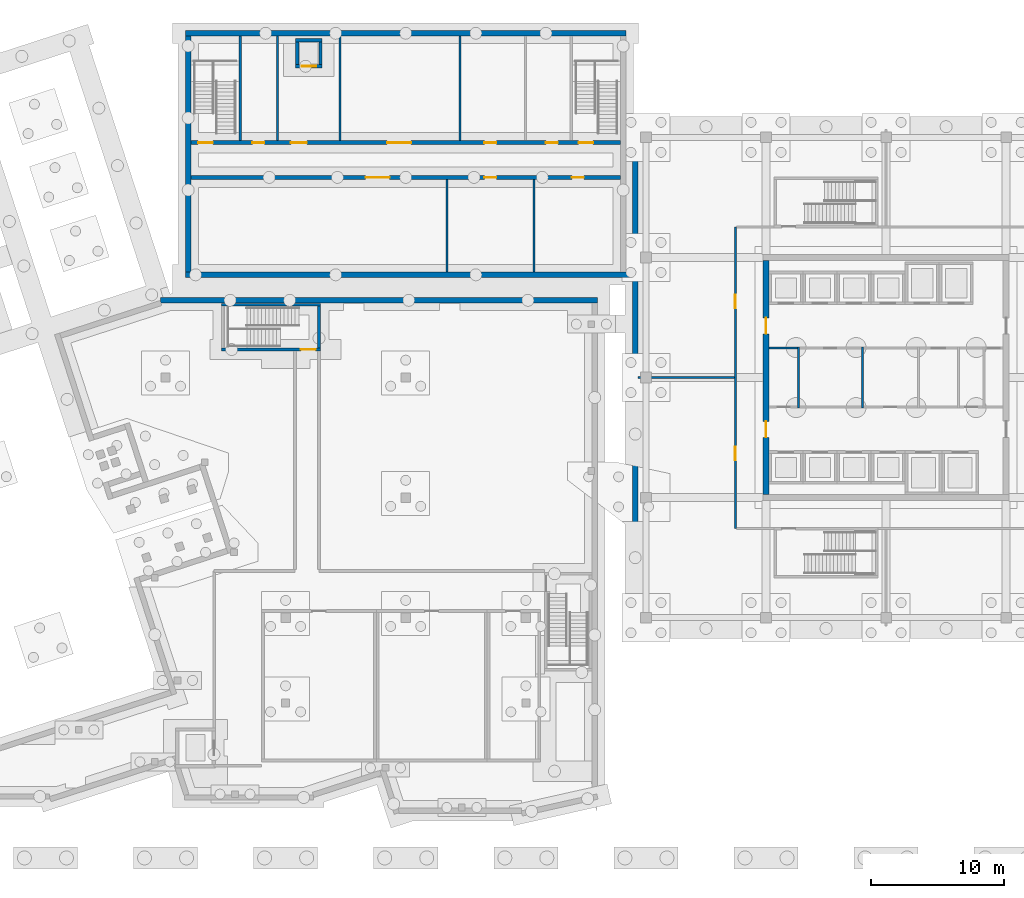
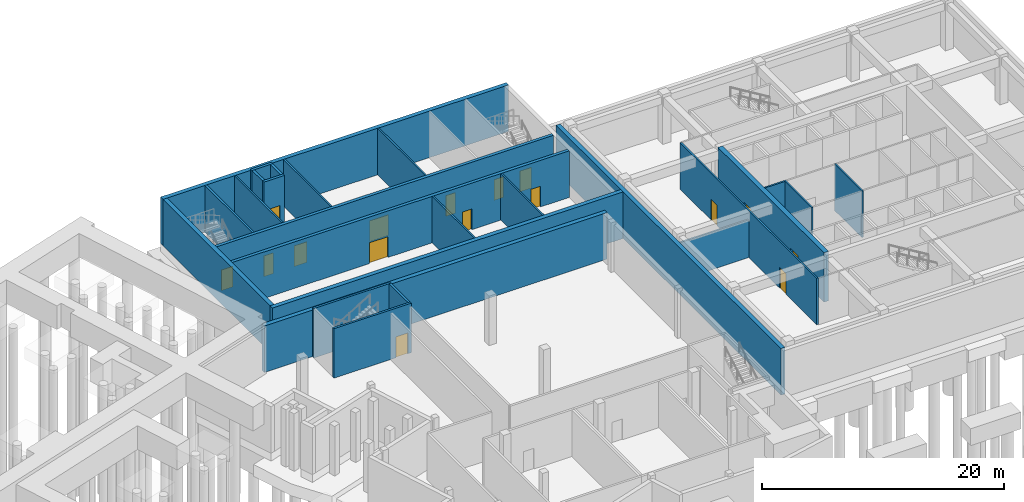
# One storey, part 11 of 17: 26 walls, 16 doors, 16 openings.
"""IFC4 building model written with IfcOpenShell, lengths in metres."""

from ifc_helpers import new_model, si_unit, direction, frame, frame_2d, origin, place, context, subcontext, project, spatial, rectangle, extrude, material, layer, layer_set, type_object, element, fill, save


model = new_model("IFC4")

# Units and contexts
model_context = context("Model", 3, precision=1e-05, world=origin(), true_north=direction((0.0, 1.0)))
body_context = subcontext(model_context, "Body", "Model", "MODEL_VIEW")
ifc_project = project(units=[si_unit("LENGTHUNIT", "METRE"), si_unit("AREAUNIT", "SQUARE_METRE"), si_unit("VOLUMEUNIT", "CUBIC_METRE"), si_unit("PLANEANGLEUNIT", "RADIAN"), si_unit("MASSUNIT", "GRAM", prefix="KILO")], contexts=[model_context])

# Site, building, storey
site_placement = place(None, origin())
site = spatial("IfcSite", under=ifc_project, at=site_placement, CompositionType="ELEMENT")
building_placement = place(site_placement, origin())
building = spatial("IfcBuilding", under=site, at=building_placement, Name="Tuart Plaza Theatre", CompositionType="ELEMENT")
storey_placement = place(building_placement, frame((0.0, 0.0, -10.0)))
storey = spatial("IfcBuildingStorey", under=building, at=storey_placement, Name="B2", CompositionType="ELEMENT", Elevation=-10.0)

# Walls
ifc_material_1 = material(Name="Masonry", Category="masonry")
ifc_layer_1 = layer(ifc_material_1, 0.14990234375)
ifc_layer_set_1 = layer_set([ifc_layer_1], Name="PARTITION BLK150 FRL -/120/120")
wall_type_1 = type_object("IfcWallType", Name="PARTITION BLK150 FRL -/120/120", PredefinedType="PARTITIONING", material=ifc_layer_set_1)
for number, where, z_axis, x_axis, name in (
    (1, (99.074951171875, 81.89990234375, 0.0), (0.0, 0.0, 1.0), (0.0, 1.0, 0.0), "P745"),
    (2, (105.625, 81.89990234375, 0.0), (0.0, 0.0, 1.0), (0.0, 1.0, 0.0), "P746"),
):
    element("IfcWall", number, at=place(storey_placement, frame(where, z_axis=z_axis, x_axis=x_axis)), inside=storey, type_object=wall_type_1, Name=name, PredefinedType="PARTITIONING", context=body_context, shape_type="SweptSolid", body=[
        extrude(rectangle(XDim=6.9501953125, YDim=0.14990234375, at=frame_2d((3.47509765625, 0.0))), origin(), (0.0, 0.0, 1.0), 4.699951171875),
    ])
for number, where, z_axis, x_axis, name in (
    (3, (86.39990234375, 91.75, 0.0), (0.0, 0.0, 1.0), (0.0, 1.0, 0.0), "P747"),
    (4, (91.074951171875, 91.75, 0.0), (0.0, 0.0, 1.0), (0.0, 1.0, 0.0), "P748"),
    (5, (100.074951171875, 91.75, 0.0), (0.0, 0.0, 1.0), (0.0, 1.0, 0.0), "P749"),
):
    element("IfcWall", number, at=place(storey_placement, frame(where, z_axis=z_axis, x_axis=x_axis)), inside=storey, type_object=wall_type_1, Name=name, PredefinedType="PARTITIONING", context=body_context, shape_type="SweptSolid", body=[
        extrude(rectangle(XDim=7.85009765625, YDim=0.14990234375, at=frame_2d((3.925048828125, 0.0))), origin(), (0.0, 0.0, 1.0), 4.699951171875),
    ])
ifc_material_2 = material(Name="Masonry block", Category="masonry")
ifc_layer_2 = layer(ifc_material_2, 0.14990234375)
ifc_layer_set_2 = layer_set([ifc_layer_2], Name="PARTITION BLK150 MASONRYB FRL -/120/120")
wall_type_2 = type_object("IfcWallType", Name="PARTITION BLK150 MASONRYB FRL -/120/120", PredefinedType="PARTITIONING", material=ifc_layer_set_2)
wall_1_placement = place(storey_placement, frame((125.425048828125, 71.72509765625, 0.0), z_axis=(0.0, 0.0, 1.0), x_axis=(0.0, 1.0, 0.0)))
element("IfcWall", 6, at=wall_1_placement, inside=storey, type_object=wall_type_2, Name="P508", PredefinedType="PARTITIONING", context=body_context, shape_type="SweptSolid", body=[
    extrude(rectangle(XDim=4.5498046875, YDim=0.14990234375, at=frame_2d((2.27490234375, 0.0))), origin(), (0.0, 0.0, 1.0), 4.699951171875),
])
wall_2_placement = place(storey_placement, frame((123.22509765625, 76.199951171875, 0.0), z_axis=(0.0, 0.0, 1.0), x_axis=(1.0, 0.0, 0.0)))
element("IfcWall", 7, at=wall_2_placement, inside=storey, type_object=wall_type_2, Name="P510", PredefinedType="PARTITIONING", context=body_context, shape_type="SweptSolid", body=[
    extrude(rectangle(XDim=2.125, YDim=0.14990234375, at=frame_2d((1.0625, 0.0))), origin(), (0.0, 0.0, 1.0), 4.699951171875),
])
wall_3_placement = place(storey_placement, frame((130.22509765625, 71.72509765625, 0.0), z_axis=(0.0, 0.0, 1.0), x_axis=(0.0, 1.0, 0.0)))
element("IfcWall", 8, at=wall_3_placement, inside=storey, type_object=wall_type_2, Name="P511", PredefinedType="PARTITIONING", context=body_context, shape_type="SweptSolid", body=[
    extrude(rectangle(XDim=4.5498046875, YDim=0.14990234375, at=frame_2d((2.27490234375, 0.0))), origin(), (0.0, 0.0, 1.0), 4.699951171875),
])

# Wall, openings, doors
ifc_material_3 = material(Name="Masonry block", Category="masonry")
ifc_layer_3 = layer(ifc_material_3, 0.14990234375)
ifc_layer_set_3 = layer_set([ifc_layer_3], Name="PARTITION BLK150 MASONRYB FRL 120/-/-")
wall_type_3 = type_object("IfcWallType", Name="PARTITION BLK150 MASONRYB FRL 120/-/-", PredefinedType="PARTITIONING", material=ifc_layer_set_3)
wall_4_placement = place(storey_placement, frame((120.699951171875, 62.699951171875, 0.0), z_axis=(0.0, 0.0, 1.0), x_axis=(0.0, 1.0, 0.0)))
wall_4 = element("IfcWall", 9, at=wall_4_placement, inside=storey, type_object=wall_type_3, Name="P525", PredefinedType="PARTITIONING", context=body_context, shape_type="SweptSolid", body=[
    extrude(rectangle(XDim=22.60009765625, YDim=0.14990234375, at=frame_2d((11.300048828125, 0.0))), origin(), (0.0, 0.0, 1.0), 4.699951171875),
])
opening_1_placement = place(wall_4_placement, frame((5.112548828125, 0.0, 0.0)))
opening_1 = element("IfcOpeningElement", 10, at=opening_1_placement, cuts=wall_4, Name="Opening B2-051", PredefinedType="OPENING", context=body_context, shape_type="SweptSolid", body=[
    extrude(rectangle(XDim=1.0, YDim=2.10009765625, at=frame_2d((0.5, 1.050048828125))), frame((0.0, 0.0849609375, 0.0), z_axis=(0.0, -1.0, 0.0), x_axis=(1.0, 0.0, 0.0)), (0.0, 0.0, 1.0), 0.169921875),
])
opening_2_placement = place(wall_4_placement, frame((16.487548828125, 0.0, 0.0)))
opening_2 = element("IfcOpeningElement", 11, at=opening_2_placement, cuts=wall_4, Name="Opening B2-052", PredefinedType="OPENING", context=body_context, shape_type="SweptSolid", body=[
    extrude(rectangle(XDim=1.0, YDim=2.10009765625, at=frame_2d((0.5, 1.050048828125))), frame((0.0, 0.0849609375, 0.0), z_axis=(0.0, -1.0, 0.0), x_axis=(1.0, 0.0, 0.0)), (0.0, 0.0, 1.0), 0.169921875),
])
ifc_material_4 = material(Name="Timber", Category="wood")
door_type_1 = type_object("IfcDoorType", Name="DOOR 1000x2100 timber single swing FRL -/60/30", OperationType="SINGLE_SWING_LEFT", PredefinedType="DOOR", material=ifc_material_4)
door_1_placement = place(opening_1_placement, origin())
door_1 = element("IfcDoor", 12, at=door_1_placement, inside=storey, type_object=door_type_1, Name="B2-051", OperationType="SINGLE_SWING_RIGHT", OverallHeight=2.10009765625, OverallWidth=1.0, PredefinedType="DOOR", context=body_context, shape_type="SweptSolid", body=[
    extrude(rectangle(XDim=1.0, YDim=2.10009765625, at=frame_2d((0.5, 1.050048828125))), frame((0.0, 0.02490234375, 0.0), z_axis=(0.0, -1.0, 0.0), x_axis=(1.0, 0.0, 0.0)), (0.0, 0.0, 1.0), 0.050048828125),
])
fill(opening_1, door_1)
door_2_placement = place(opening_2_placement, origin())
door_2 = element("IfcDoor", 13, at=door_2_placement, inside=storey, type_object=door_type_1, Name="B2-052", OperationType="SINGLE_SWING_LEFT", OverallHeight=2.10009765625, OverallWidth=1.0, PredefinedType="DOOR", context=body_context, shape_type="SweptSolid", body=[
    extrude(rectangle(XDim=1.0, YDim=2.10009765625, at=frame_2d((0.5, 1.050048828125))), frame((0.0, 0.02490234375, 0.0), z_axis=(0.0, -1.0, 0.0), x_axis=(1.0, 0.0, 0.0)), (0.0, 0.0, 1.0), 0.050048828125),
])
fill(opening_2, door_2)

# Wall
wall_5_placement = place(storey_placement, frame((113.39892578125, 74.0, 0.0), z_axis=(0.0, 0.0, 1.0), x_axis=(1.0, 0.0, 0.0)))
element("IfcWall", 14, at=wall_5_placement, inside=storey, type_object=wall_type_3, Name="P533", PredefinedType="PARTITIONING", context=body_context, shape_type="SweptSolid", body=[
    extrude(rectangle(XDim=7.22705078125, YDim=0.14990234375, at=frame_2d((3.613525390625, 0.0))), origin(), (0.0, 0.0, 1.0), 3.800048828125),
])

# Wall, opening, door
ifc_material_5 = material(Name="Concrete N40 (40 MPa)", Category="concrete")
ifc_layer_4 = layer(ifc_material_5, 0.199951171875)
ifc_layer_set_4 = layer_set([ifc_layer_4], Name="SHEAR WALL RC200 FRL 120/120/120")
wall_type_4 = type_object("IfcWallType", Name="SHEAR WALL RC200 FRL 120/120/120", PredefinedType="SHEAR", material=ifc_layer_set_4)
wall_6_placement = place(storey_placement, frame((82.199951171875, 76.10009765625, 0.0), z_axis=(0.0, 0.0, 1.0), x_axis=(1.0, 0.0, 0.0)))
wall_6 = element("IfcWall", 15, at=wall_6_placement, inside=storey, type_object=wall_type_4, Name="W263", PredefinedType="SHEAR", context=body_context, shape_type="SweptSolid", body=[
    extrude(rectangle(XDim=7.400146484375, YDim=0.199951171875, at=frame_2d((3.7001953125, 0.0))), origin(), (0.0, 0.0, 1.0), 5.0),
])
opening_3_placement = place(wall_6_placement, frame((5.949951171875, 0.0, 0.0)))
opening_3 = element("IfcOpeningElement", 16, at=opening_3_placement, cuts=wall_6, Name="Opening B2-022", PredefinedType="OPENING", context=body_context, shape_type="SweptSolid", body=[
    extrude(rectangle(XDim=1.10009765625, YDim=2.10009765625, at=frame_2d((0.550048828125, 1.050048828125))), frame((0.0, 0.10986328125, 0.0), z_axis=(0.0, -1.0, 0.0), x_axis=(1.0, 0.0, 0.0)), (0.0, 0.0, 1.0), 0.219970703125),
])
ifc_material_6 = material(Name="Steel Grade 300", Category="steel")
door_type_2 = type_object("IfcDoorType", Name="DOOR 1100x2100 steel single swing FRL -/120/30", OperationType="SINGLE_SWING_LEFT", PredefinedType="DOOR", material=ifc_material_6)
door_3_placement = place(opening_3_placement, origin())
door_3 = element("IfcDoor", 17, at=door_3_placement, inside=storey, type_object=door_type_2, Name="B2-022", OperationType="SINGLE_SWING_LEFT", OverallHeight=2.10009765625, OverallWidth=1.10009765625, PredefinedType="DOOR", context=body_context, shape_type="SweptSolid", body=[
    extrude(rectangle(XDim=1.10009765625, YDim=2.10009765625, at=frame_2d((0.550048828125, 1.050048828125))), frame((0.0, 0.02490234375, 0.0), z_axis=(0.0, -1.0, 0.0), x_axis=(1.0, 0.0, 0.0)), (0.0, 0.0, 1.0), 0.050048828125),
])
fill(opening_3, door_3)

# Walls
wall_7_placement = place(storey_placement, frame((89.60009765625, 79.449951171875, 0.0), z_axis=(0.0, 0.0, 1.0), x_axis=(-1.0, 0.0, 0.0)))
element("IfcWall", 18, at=wall_7_placement, inside=storey, type_object=wall_type_4, Name="W264", PredefinedType="SHEAR", context=body_context, shape_type="SweptSolid", body=[
    extrude(rectangle(XDim=7.400146484375, YDim=0.199951171875, at=frame_2d((3.7001953125, 0.0))), origin(), (0.0, 0.0, 1.0), 5.0),
])
wall_8_placement = place(storey_placement, frame((89.5, 76.199951171875, 0.0), z_axis=(0.0, 0.0, 1.0), x_axis=(0.0, 1.0, 0.0)))
element("IfcWall", 19, at=wall_8_placement, inside=storey, type_object=wall_type_4, Name="W266", PredefinedType="SHEAR", context=body_context, shape_type="SweptSolid", body=[
    extrude(rectangle(XDim=3.150146484375, YDim=0.199951171875, at=frame_2d((1.5751953125, 0.0))), origin(), (0.0, 0.0, 1.0), 5.0),
])

# Wall, opening, door
ifc_material_7 = material(Name="Concrete N40 (40 MPa)", Category="concrete")
ifc_layer_5 = layer(ifc_material_7, 0.25)
ifc_layer_set_5 = layer_set([ifc_layer_5], Name="SHEAR WALL RC250 FRL 120/120/120")
wall_type_5 = type_object("IfcWallType", Name="SHEAR WALL RC250 FRL 120/120/120", PredefinedType="SHEAR", material=ifc_layer_set_5)
wall_9_placement = place(storey_placement, frame((87.739990234375, 97.324951171875, -1.5), z_axis=(0.0, 0.0, 1.0), x_axis=(1.0, 0.0, 0.0)))
wall_9 = element("IfcWall", 20, at=wall_9_placement, inside=storey, type_object=wall_type_5, Name="W475", PredefinedType="SHEAR", context=body_context, shape_type="SweptSolid", body=[
    extrude(rectangle(XDim=2.0, YDim=0.25, at=frame_2d((1.0, 0.0))), origin(), (0.0, 0.0, 1.0), 6.5),
])
opening_4_placement = place(wall_9_placement, frame((0.449951171875, 0.0, 1.5)))
opening_4 = element("IfcOpeningElement", 21, at=opening_4_placement, cuts=wall_9, Name="Opening B2-004", PredefinedType="OPENING", context=body_context, shape_type="SweptSolid", body=[
    extrude(rectangle(XDim=1.10009765625, YDim=2.10009765625, at=frame_2d((0.550048828125, 1.050048828125))), frame((0.0, 0.135009765625, 0.0), z_axis=(0.0, -1.0, 0.0), x_axis=(1.0, 0.0, 0.0)), (0.0, 0.0, 1.0), 0.27001953125),
])
ifc_material_8 = material(Name="Steel Grade 300", Category="steel")
door_type_3 = type_object("IfcDoorType", Name="LANDING DOOR 1100x2100 steel sliding FRL -/120/30", OperationType="SLIDING_TO_LEFT", PredefinedType="DOOR", material=ifc_material_8)
door_4_placement = place(opening_4_placement, origin())
door_4 = element("IfcDoor", 22, at=door_4_placement, inside=storey, type_object=door_type_3, Name="B2-004", OperationType="SLIDING_TO_LEFT", OverallHeight=2.10009765625, OverallWidth=1.10009765625, PredefinedType="DOOR", context=body_context, shape_type="SweptSolid", body=[
    extrude(rectangle(XDim=1.10009765625, YDim=2.10009765625, at=frame_2d((0.550048828125, 1.050048828125))), frame((0.0, 0.02490234375, 0.0), z_axis=(0.0, -1.0, 0.0), x_axis=(1.0, 0.0, 0.0)), (0.0, 0.0, 1.0), 0.050048828125),
])
fill(opening_4, door_4)

# Walls
wall_10_placement = place(storey_placement, frame((89.614990234375, 97.449951171875, -1.5), z_axis=(0.0, 0.0, 1.0), x_axis=(0.0, 1.0, 0.0)))
element("IfcWall", 23, at=wall_10_placement, inside=storey, type_object=wall_type_5, Name="W476", PredefinedType="SHEAR", context=body_context, shape_type="SweptSolid", body=[
    extrude(rectangle(XDim=1.699951171875, YDim=0.25, at=frame_2d((0.85009765625, 0.0))), origin(), (0.0, 0.0, 1.0), 6.5),
])
wall_11_placement = place(storey_placement, frame((89.739990234375, 99.27490234375, -1.5), z_axis=(0.0, 0.0, 1.0), x_axis=(-1.0, 0.0, 0.0)))
element("IfcWall", 24, at=wall_11_placement, inside=storey, type_object=wall_type_5, Name="W477", PredefinedType="SHEAR", context=body_context, shape_type="SweptSolid", body=[
    extrude(rectangle(XDim=2.0, YDim=0.25, at=frame_2d((1.0, 0.0))), origin(), (0.0, 0.0, 1.0), 6.5),
])
wall_12_placement = place(storey_placement, frame((87.864990234375, 99.14990234375, -1.5), z_axis=(0.0, 0.0, 1.0), x_axis=(0.0, -1.0, 0.0)))
element("IfcWall", 25, at=wall_12_placement, inside=storey, type_object=wall_type_5, Name="W478", PredefinedType="SHEAR", context=body_context, shape_type="SweptSolid", body=[
    extrude(rectangle(XDim=1.699951171875, YDim=0.25, at=frame_2d((0.85009765625, 0.0))), origin(), (0.0, 0.0, 1.0), 6.5),
])

# Wall, openings, doors
ifc_material_9 = material(Name="Concrete N40 (40 MPa)", Category="concrete")
ifc_layer_6 = layer(ifc_material_9, 0.300048828125)
ifc_layer_set_6 = layer_set([ifc_layer_6], Name="SHEAR WALL RC300 FRL 120/-/-")
wall_type_6 = type_object("IfcWallType", Name="SHEAR WALL RC300 FRL 120/-/-", PredefinedType="SHEAR", material=ifc_layer_set_6)
wall_13_placement = place(storey_placement, frame((79.89990234375, 89.0, 0.0), z_axis=(0.0, 0.0, 1.0), x_axis=(1.0, 0.0, 0.0)))
wall_13 = element("IfcWall", 26, at=wall_13_placement, inside=storey, type_object=wall_type_6, Name="W467", PredefinedType="SHEAR", context=body_context, shape_type="SweptSolid", body=[
    extrude(rectangle(XDim=32.2001953125, YDim=0.300048828125, at=frame_2d((16.10009765625, 0.0))), origin(), (0.0, 0.0, 1.0), 4.699951171875),
])
opening_5_placement = place(wall_13_placement, frame((13.10009765625, 0.0, 0.0)))
opening_5 = element("IfcOpeningElement", 27, at=opening_5_placement, cuts=wall_13, Name="Opening B2-054", PredefinedType="OPENING", context=body_context, shape_type="SweptSolid", body=[
    extrude(rectangle(XDim=1.800048828125, YDim=2.10009765625, at=frame_2d((0.89990234375, 1.050048828125))), frame((0.0, 0.159912109375, 0.0), z_axis=(0.0, -1.0, 0.0), x_axis=(1.0, 0.0, 0.0)), (0.0, 0.0, 1.0), 0.320068359375),
])
opening_6_placement = place(wall_13_placement, frame((22.0, 0.0, 0.0)))
opening_6 = element("IfcOpeningElement", 28, at=opening_6_placement, cuts=wall_13, Name="Opening B2-055", PredefinedType="OPENING", context=body_context, shape_type="SweptSolid", body=[
    extrude(rectangle(XDim=0.89990234375, YDim=2.10009765625, at=frame_2d((0.449951171875, 1.050048828125))), frame((0.0, 0.159912109375, 0.0), z_axis=(0.0, -1.0, 0.0), x_axis=(1.0, 0.0, 0.0)), (0.0, 0.0, 1.0), 0.320068359375),
])
opening_7_placement = place(wall_13_placement, frame((28.550048828125, 0.0, 0.0)))
opening_7 = element("IfcOpeningElement", 29, at=opening_7_placement, cuts=wall_13, Name="Opening B2-056", PredefinedType="OPENING", context=body_context, shape_type="SweptSolid", body=[
    extrude(rectangle(XDim=0.89990234375, YDim=2.10009765625, at=frame_2d((0.449951171875, 1.050048828125))), frame((0.0, 0.159912109375, 0.0), z_axis=(0.0, -1.0, 0.0), x_axis=(1.0, 0.0, 0.0)), (0.0, 0.0, 1.0), 0.320068359375),
])
ifc_material_10 = material(Name="Timber", Category="wood")
door_type_4 = type_object("IfcDoorType", Name="DOOR 1800x2100 timber double swing FRL -/60/30", OperationType="DOUBLE_DOOR_SINGLE_SWING", PredefinedType="DOOR", material=ifc_material_10)
door_5_placement = place(opening_5_placement, frame((1.800048828125, 0.0, 0.0), z_axis=(0.0, 0.0, 1.0), x_axis=(-1.0, 0.0, 0.0)))
door_5 = element("IfcDoor", 30, at=door_5_placement, inside=storey, type_object=door_type_4, Name="B2-054", OperationType="DOUBLE_DOOR_SINGLE_SWING", OverallHeight=2.10009765625, OverallWidth=1.800048828125, PredefinedType="DOOR", context=body_context, shape_type="SweptSolid", body=[
    extrude(rectangle(XDim=1.800048828125, YDim=2.10009765625, at=frame_2d((0.89990234375, 1.050048828125))), frame((0.0, 0.02490234375, 0.0), z_axis=(0.0, -1.0, 0.0), x_axis=(1.0, 0.0, 0.0)), (0.0, 0.0, 1.0), 0.050048828125),
])
fill(opening_5, door_5)
ifc_material_11 = material(Name="Timber", Category="wood")
door_type_5 = type_object("IfcDoorType", Name="DOOR 900x2100 timber single swing FRL -/60/30", OperationType="SINGLE_SWING_LEFT", PredefinedType="DOOR", material=ifc_material_11)
door_6_placement = place(opening_6_placement, frame((0.89990234375, 0.0, 0.0), z_axis=(0.0, 0.0, 1.0), x_axis=(-1.0, 0.0, 0.0)))
door_6 = element("IfcDoor", 31, at=door_6_placement, inside=storey, type_object=door_type_5, Name="B2-055", OperationType="SINGLE_SWING_RIGHT", OverallHeight=2.10009765625, OverallWidth=0.89990234375, PredefinedType="DOOR", context=body_context, shape_type="SweptSolid", body=[
    extrude(rectangle(XDim=0.89990234375, YDim=2.10009765625, at=frame_2d((0.449951171875, 1.050048828125))), frame((0.0, 0.02490234375, 0.0), z_axis=(0.0, -1.0, 0.0), x_axis=(1.0, 0.0, 0.0)), (0.0, 0.0, 1.0), 0.050048828125),
])
fill(opening_6, door_6)
door_7_placement = place(opening_7_placement, frame((0.89990234375, 0.0, 0.0), z_axis=(0.0, 0.0, 1.0), x_axis=(-1.0, 0.0, 0.0)))
door_7 = element("IfcDoor", 32, at=door_7_placement, inside=storey, type_object=door_type_5, Name="B2-056", OperationType="SINGLE_SWING_RIGHT", OverallHeight=2.10009765625, OverallWidth=0.89990234375, PredefinedType="DOOR", context=body_context, shape_type="SweptSolid", body=[
    extrude(rectangle(XDim=0.89990234375, YDim=2.10009765625, at=frame_2d((0.449951171875, 1.050048828125))), frame((0.0, 0.02490234375, 0.0), z_axis=(0.0, -1.0, 0.0), x_axis=(1.0, 0.0, 0.0)), (0.0, 0.0, 1.0), 0.050048828125),
])
fill(opening_7, door_7)

wall_14_placement = place(storey_placement, frame((79.89990234375, 91.60009765625, 0.0), z_axis=(0.0, 0.0, 1.0), x_axis=(1.0, 0.0, 0.0)))
wall_14 = element("IfcWall", 33, at=wall_14_placement, inside=storey, type_object=wall_type_6, Name="W468", PredefinedType="SHEAR", context=body_context, shape_type="SweptSolid", body=[
    extrude(rectangle(XDim=32.2001953125, YDim=0.300048828125, at=frame_2d((16.10009765625, 0.0))), origin(), (0.0, 0.0, 1.0), 4.699951171875),
])
opening_8_placement = place(wall_14_placement, frame((0.550048828125, 0.0, 0.0)))
opening_8 = element("IfcOpeningElement", 34, at=opening_8_placement, cuts=wall_14, Name="Opening B2-057", PredefinedType="OPENING", context=body_context, shape_type="SweptSolid", body=[
    extrude(rectangle(XDim=1.10009765625, YDim=2.10009765625, at=frame_2d((0.550048828125, 1.050048828125))), frame((0.0, 0.159912109375, 0.0), z_axis=(0.0, -1.0, 0.0), x_axis=(1.0, 0.0, 0.0)), (0.0, 0.0, 1.0), 0.320068359375),
])
opening_9_placement = place(wall_14_placement, frame((4.60009765625, 0.0, 0.0)))
opening_9 = element("IfcOpeningElement", 35, at=opening_9_placement, cuts=wall_14, Name="Opening B2-058", PredefinedType="OPENING", context=body_context, shape_type="SweptSolid", body=[
    extrude(rectangle(XDim=0.89990234375, YDim=2.10009765625, at=frame_2d((0.449951171875, 1.050048828125))), frame((0.0, 0.159912109375, 0.0), z_axis=(0.0, -1.0, 0.0), x_axis=(1.0, 0.0, 0.0)), (0.0, 0.0, 1.0), 0.320068359375),
])
opening_10_placement = place(wall_14_placement, frame((7.5, 0.0, 0.0)))
opening_10 = element("IfcOpeningElement", 36, at=opening_10_placement, cuts=wall_14, Name="Opening B2-059", PredefinedType="OPENING", context=body_context, shape_type="SweptSolid", body=[
    extrude(rectangle(XDim=1.199951171875, YDim=2.10009765625, at=frame_2d((0.60009765625, 1.050048828125))), frame((0.0, 0.159912109375, 0.0), z_axis=(0.0, -1.0, 0.0), x_axis=(1.0, 0.0, 0.0)), (0.0, 0.0, 1.0), 0.320068359375),
])
opening_11_placement = place(wall_14_placement, frame((14.699951171875, 0.0, 0.0)))
opening_11 = element("IfcOpeningElement", 37, at=opening_11_placement, cuts=wall_14, Name="Opening B2-060", PredefinedType="OPENING", context=body_context, shape_type="SweptSolid", body=[
    extrude(rectangle(XDim=1.800048828125, YDim=2.10009765625, at=frame_2d((0.89990234375, 1.050048828125))), frame((0.0, 0.159912109375, 0.0), z_axis=(0.0, -1.0, 0.0), x_axis=(1.0, 0.0, 0.0)), (0.0, 0.0, 1.0), 0.320068359375),
])
opening_12_placement = place(wall_14_placement, frame((22.0, 0.0, 0.0)))
opening_12 = element("IfcOpeningElement", 38, at=opening_12_placement, cuts=wall_14, Name="Opening B2-061", PredefinedType="OPENING", context=body_context, shape_type="SweptSolid", body=[
    extrude(rectangle(XDim=0.89990234375, YDim=2.10009765625, at=frame_2d((0.449951171875, 1.050048828125))), frame((0.0, 0.159912109375, 0.0), z_axis=(0.0, -1.0, 0.0), x_axis=(1.0, 0.0, 0.0)), (0.0, 0.0, 1.0), 0.320068359375),
])
opening_13_placement = place(wall_14_placement, frame((26.60009765625, 0.0, 0.0)))
opening_13 = element("IfcOpeningElement", 39, at=opening_13_placement, cuts=wall_14, Name="Opening B2-062", PredefinedType="OPENING", context=body_context, shape_type="SweptSolid", body=[
    extrude(rectangle(XDim=0.89990234375, YDim=2.10009765625, at=frame_2d((0.449951171875, 1.050048828125))), frame((0.0, 0.159912109375, 0.0), z_axis=(0.0, -1.0, 0.0), x_axis=(1.0, 0.0, 0.0)), (0.0, 0.0, 1.0), 0.320068359375),
])
opening_14_placement = place(wall_14_placement, frame((29.050048828125, 0.0, 0.0)))
opening_14 = element("IfcOpeningElement", 40, at=opening_14_placement, cuts=wall_14, Name="Opening B2-063", PredefinedType="OPENING", context=body_context, shape_type="SweptSolid", body=[
    extrude(rectangle(XDim=1.10009765625, YDim=2.10009765625, at=frame_2d((0.550048828125, 1.050048828125))), frame((0.0, 0.159912109375, 0.0), z_axis=(0.0, -1.0, 0.0), x_axis=(1.0, 0.0, 0.0)), (0.0, 0.0, 1.0), 0.320068359375),
])
ifc_material_12 = material(Name="Timber", Category="wood")
door_type_6 = type_object("IfcDoorType", Name="DOOR 1100x2100 timber single swing FRL -/120/30", OperationType="SINGLE_SWING_LEFT", PredefinedType="DOOR", material=ifc_material_12)
door_8_placement = place(opening_8_placement, origin())
door_8 = element("IfcDoor", 41, at=door_8_placement, inside=storey, type_object=door_type_6, Name="B2-057", OperationType="SINGLE_SWING_RIGHT", OverallHeight=2.10009765625, OverallWidth=1.10009765625, PredefinedType="DOOR", context=body_context, shape_type="SweptSolid", body=[
    extrude(rectangle(XDim=1.10009765625, YDim=2.10009765625, at=frame_2d((0.550048828125, 1.050048828125))), frame((0.0, 0.02490234375, 0.0), z_axis=(0.0, -1.0, 0.0), x_axis=(1.0, 0.0, 0.0)), (0.0, 0.0, 1.0), 0.050048828125),
])
fill(opening_8, door_8)
door_9_placement = place(opening_14_placement, origin())
door_9 = element("IfcDoor", 42, at=door_9_placement, inside=storey, type_object=door_type_6, Name="B2-063", OperationType="SINGLE_SWING_RIGHT", OverallHeight=2.10009765625, OverallWidth=1.10009765625, PredefinedType="DOOR", context=body_context, shape_type="SweptSolid", body=[
    extrude(rectangle(XDim=1.10009765625, YDim=2.10009765625, at=frame_2d((0.550048828125, 1.050048828125))), frame((0.0, 0.02490234375, 0.0), z_axis=(0.0, -1.0, 0.0), x_axis=(1.0, 0.0, 0.0)), (0.0, 0.0, 1.0), 0.050048828125),
])
fill(opening_14, door_9)
ifc_material_13 = material(Name="Timber", Category="wood")
door_type_7 = type_object("IfcDoorType", Name="DOOR 1200x2100 timber double swing FRL -/60/30", OperationType="DOUBLE_DOOR_SINGLE_SWING", PredefinedType="DOOR", material=ifc_material_13)
door_10_placement = place(opening_10_placement, frame((1.199951171875, 0.0, 0.0), z_axis=(0.0, 0.0, 1.0), x_axis=(-1.0, 0.0, 0.0)))
door_10 = element("IfcDoor", 43, at=door_10_placement, inside=storey, type_object=door_type_7, Name="B2-059", OperationType="DOUBLE_DOOR_SINGLE_SWING", OverallHeight=2.10009765625, OverallWidth=1.199951171875, PredefinedType="DOOR", context=body_context, shape_type="SweptSolid", body=[
    extrude(rectangle(XDim=1.199951171875, YDim=2.10009765625, at=frame_2d((0.60009765625, 1.050048828125))), frame((0.0, 0.02490234375, 0.0), z_axis=(0.0, -1.0, 0.0), x_axis=(1.0, 0.0, 0.0)), (0.0, 0.0, 1.0), 0.050048828125),
])
fill(opening_10, door_10)
door_11_placement = place(opening_11_placement, origin())
door_11 = element("IfcDoor", 44, at=door_11_placement, inside=storey, type_object=door_type_4, Name="B2-060", OperationType="DOUBLE_DOOR_SINGLE_SWING", OverallHeight=2.10009765625, OverallWidth=1.800048828125, PredefinedType="DOOR", context=body_context, shape_type="SweptSolid", body=[
    extrude(rectangle(XDim=1.800048828125, YDim=2.10009765625, at=frame_2d((0.89990234375, 1.050048828125))), frame((0.0, 0.02490234375, 0.0), z_axis=(0.0, -1.0, 0.0), x_axis=(1.0, 0.0, 0.0)), (0.0, 0.0, 1.0), 0.050048828125),
])
fill(opening_11, door_11)
door_12_placement = place(opening_9_placement, origin())
door_12 = element("IfcDoor", 45, at=door_12_placement, inside=storey, type_object=door_type_5, Name="B2-058", OperationType="SINGLE_SWING_RIGHT", OverallHeight=2.10009765625, OverallWidth=0.89990234375, PredefinedType="DOOR", context=body_context, shape_type="SweptSolid", body=[
    extrude(rectangle(XDim=0.89990234375, YDim=2.10009765625, at=frame_2d((0.449951171875, 1.050048828125))), frame((0.0, 0.02490234375, 0.0), z_axis=(0.0, -1.0, 0.0), x_axis=(1.0, 0.0, 0.0)), (0.0, 0.0, 1.0), 0.050048828125),
])
fill(opening_9, door_12)
door_13_placement = place(opening_12_placement, origin())
door_13 = element("IfcDoor", 46, at=door_13_placement, inside=storey, type_object=door_type_5, Name="B2-061", OperationType="SINGLE_SWING_RIGHT", OverallHeight=2.10009765625, OverallWidth=0.89990234375, PredefinedType="DOOR", context=body_context, shape_type="SweptSolid", body=[
    extrude(rectangle(XDim=0.89990234375, YDim=2.10009765625, at=frame_2d((0.449951171875, 1.050048828125))), frame((0.0, 0.02490234375, 0.0), z_axis=(0.0, -1.0, 0.0), x_axis=(1.0, 0.0, 0.0)), (0.0, 0.0, 1.0), 0.050048828125),
])
fill(opening_12, door_13)
door_14_placement = place(opening_13_placement, origin())
door_14 = element("IfcDoor", 47, at=door_14_placement, inside=storey, type_object=door_type_5, Name="B2-062", OperationType="SINGLE_SWING_LEFT", OverallHeight=2.10009765625, OverallWidth=0.89990234375, PredefinedType="DOOR", context=body_context, shape_type="SweptSolid", body=[
    extrude(rectangle(XDim=0.89990234375, YDim=2.10009765625, at=frame_2d((0.449951171875, 1.050048828125))), frame((0.0, 0.02490234375, 0.0), z_axis=(0.0, -1.0, 0.0), x_axis=(1.0, 0.0, 0.0)), (0.0, 0.0, 1.0), 0.050048828125),
])
fill(opening_13, door_14)

# Wall
ifc_material_14 = material(Name="Concrete N40 (40 MPa)", Category="concrete")
ifc_layer_7 = layer(ifc_material_14, 0.39990234375)
ifc_layer_set_7 = layer_set([ifc_layer_7], Name="SHEAR WALL RC400 FRL 120/120/120 EXT")
wall_type_7 = type_object("IfcWallType", Name="SHEAR WALL RC400 FRL 120/120/120 EXT", PredefinedType="SHEAR", material=ifc_layer_set_7)
wall_15_placement = place(storey_placement, frame((77.628173828125, 79.787109375, 0.0), z_axis=(0.0, 0.0, 1.0), x_axis=(1.0, 0.0, 0.0)))
element("IfcWall", 48, at=wall_15_placement, inside=storey, type_object=wall_type_7, Name="W311", PredefinedType="SHEAR", context=body_context, shape_type="SweptSolid", body=[
    extrude(rectangle(XDim=32.73486328125, YDim=0.39990234375, at=frame_2d((16.367431640625, 0.0))), origin(), (0.0, 0.0, 1.0), 4.699951171875),
])

# Wall, openings, doors
ifc_material_15 = material(Name="Concrete N50 (50 MPa)", Category="concrete")
ifc_layer_8 = layer(ifc_material_15, 0.449951171875)
ifc_layer_set_8 = layer_set([ifc_layer_8], Name="SHEAR WALL RC450 N50 FRL 120/120/120")
wall_type_8 = type_object("IfcWallType", Name="SHEAR WALL RC450 N50 FRL 120/120/120", PredefinedType="SHEAR", material=ifc_layer_set_8)
wall_16_placement = place(storey_placement, frame((123.0, 82.77490234375, 0.0), z_axis=(0.0, 0.0, 1.0), x_axis=(0.0, -1.0, 0.0)))
wall_16 = element("IfcWall", 49, at=wall_16_placement, inside=storey, type_object=wall_type_8, Name="W342", PredefinedType="SHEAR", context=body_context, shape_type="SweptSolid", body=[
    extrude(rectangle(XDim=17.5498046875, YDim=0.449951171875, at=frame_2d((8.77490234375, 0.0))), origin(), (0.0, 0.0, 1.0), 5.0),
])
opening_15_placement = place(wall_16_placement, frame((12.050048828125, 0.0, 0.0)))
opening_15 = element("IfcOpeningElement", 50, at=opening_15_placement, cuts=wall_16, Name="Opening B2-040", PredefinedType="OPENING", context=body_context, shape_type="SweptSolid", body=[
    extrude(rectangle(XDim=1.199951171875, YDim=2.10009765625, at=frame_2d((0.60009765625, 1.050048828125))), frame((0.0, 0.23486328125, 0.0), z_axis=(0.0, -1.0, 0.0), x_axis=(1.0, 0.0, 0.0)), (0.0, 0.0, 1.0), 0.469970703125),
])
opening_16_placement = place(wall_16_placement, frame((4.300048828125, 0.0, 0.0)))
opening_16 = element("IfcOpeningElement", 51, at=opening_16_placement, cuts=wall_16, Name="Opening B2-042", PredefinedType="OPENING", context=body_context, shape_type="SweptSolid", body=[
    extrude(rectangle(XDim=1.199951171875, YDim=2.10009765625, at=frame_2d((0.60009765625, 1.050048828125))), frame((0.0, 0.23486328125, 0.0), z_axis=(0.0, -1.0, 0.0), x_axis=(1.0, 0.0, 0.0)), (0.0, 0.0, 1.0), 0.469970703125),
])
ifc_material_16 = material(Name="Steel Grade 300", Category="steel")
door_type_8 = type_object("IfcDoorType", Name="DOOR 1200x2100 steel single swing FRL -/120/30", OperationType="SINGLE_SWING_LEFT", PredefinedType="DOOR", material=ifc_material_16)
door_15_placement = place(opening_15_placement, frame((1.199951171875, 0.0, 0.0), z_axis=(0.0, 0.0, 1.0), x_axis=(-1.0, 0.0, 0.0)))
door_15 = element("IfcDoor", 52, at=door_15_placement, inside=storey, type_object=door_type_8, Name="B2-040", OperationType="SINGLE_SWING_RIGHT", OverallHeight=2.10009765625, OverallWidth=1.199951171875, PredefinedType="DOOR", context=body_context, shape_type="SweptSolid", body=[
    extrude(rectangle(XDim=1.199951171875, YDim=2.10009765625, at=frame_2d((0.60009765625, 1.050048828125))), frame((0.0, 0.02490234375, 0.0), z_axis=(0.0, -1.0, 0.0), x_axis=(1.0, 0.0, 0.0)), (0.0, 0.0, 1.0), 0.050048828125),
])
fill(opening_15, door_15)
door_16_placement = place(opening_16_placement, frame((1.199951171875, 0.0, 0.0), z_axis=(0.0, 0.0, 1.0), x_axis=(-1.0, 0.0, 0.0)))
door_16 = element("IfcDoor", 53, at=door_16_placement, inside=storey, type_object=door_type_8, Name="B2-042", OperationType="SINGLE_SWING_LEFT", OverallHeight=2.10009765625, OverallWidth=1.199951171875, PredefinedType="DOOR", context=body_context, shape_type="SweptSolid", body=[
    extrude(rectangle(XDim=1.199951171875, YDim=2.10009765625, at=frame_2d((0.60009765625, 1.050048828125))), frame((0.0, 0.02490234375, 0.0), z_axis=(0.0, -1.0, 0.0), x_axis=(1.0, 0.0, 0.0)), (0.0, 0.0, 1.0), 0.050048828125),
])
fill(opening_16, door_16)

# Walls
ifc_material_17 = material(Name="Concrete N40 (40 MPa)", Category="concrete")
ifc_layer_9 = layer(ifc_material_17, 0.199951171875)
ifc_layer_set_9 = layer_set([ifc_layer_9], Name="WALL RC200 LB FRL 120/120/120")
wall_type_9 = type_object("IfcWallType", Name="WALL RC200 LB FRL 120/120/120", PredefinedType="SOLIDWALL", material=ifc_layer_set_9)
wall_17_placement = place(storey_placement, frame((83.60009765625, 91.75, 0.0), z_axis=(0.0, 0.0, 1.0), x_axis=(0.0, 1.0, 0.0)))
element("IfcWall", 54, at=wall_17_placement, inside=storey, type_object=wall_type_9, Name="W1546", PredefinedType="SOLIDWALL", context=body_context, shape_type="SweptSolid", body=[
    extrude(rectangle(XDim=7.85009765625, YDim=0.199951171875, at=frame_2d((3.925048828125, 0.0))), origin(), (0.0, 0.0, 1.0), 4.699951171875),
])
ifc_material_18 = material(Name="Concrete N40 (40 MPa)", Category="concrete")
ifc_layer_10 = layer(ifc_material_18, 0.39990234375)
ifc_layer_set_10 = layer_set([ifc_layer_10], Name="WALL RC400 LB FRL 120/120/120")
wall_type_10 = type_object("IfcWallType", Name="WALL RC400 LB FRL 120/120/120", PredefinedType="SOLIDWALL", material=ifc_layer_set_10)
wall_18_placement = place(storey_placement, frame((113.199951171875, 92.60009765625, 0.0), z_axis=(0.0, 0.0, 1.0), x_axis=(0.0, -1.0, 0.0)))
element("IfcWall", 55, at=wall_18_placement, inside=storey, type_object=wall_type_10, Name="W454", PredefinedType="SOLIDWALL", context=body_context, shape_type="SweptSolid", body=[
    extrude(rectangle(XDim=37.2001953125, YDim=0.39990234375, at=frame_2d((18.60009765625, 0.0))), origin(), (0.0, 0.0, 1.0), 4.699951171875),
])
ifc_material_19 = material(Name="Concrete N40 (40 MPa)", Category="concrete")
ifc_layer_11 = layer(ifc_material_19, 0.39990234375)
ifc_layer_set_11 = layer_set([ifc_layer_11], Name="WALL RC400 LB FRL 120/120/120 EXT")
wall_type_11 = type_object("IfcWallType", Name="WALL RC400 LB FRL 120/120/120 EXT", PredefinedType="SOLIDWALL", material=ifc_layer_set_11)
wall_19_placement = place(storey_placement, frame((79.5, 81.699951171875, 0.0), z_axis=(0.0, 0.0, 1.0), x_axis=(1.0, 0.0, 0.0)))
element("IfcWall", 56, at=wall_19_placement, inside=storey, type_object=wall_type_11, Name="W463", PredefinedType="SOLIDWALL", context=body_context, shape_type="SweptSolid", body=[
    extrude(rectangle(XDim=33.5, YDim=0.39990234375, at=frame_2d((16.75, 0.0))), origin(), (0.0, 0.0, 1.0), 4.699951171875),
])
wall_20_placement = place(storey_placement, frame((112.5, 99.800048828125, 0.0), z_axis=(0.0, 0.0, 1.0), x_axis=(-1.0, 0.0, 0.0)))
element("IfcWall", 57, at=wall_20_placement, inside=storey, type_object=wall_type_11, Name="W465", PredefinedType="SOLIDWALL", context=body_context, shape_type="SweptSolid", body=[
    extrude(rectangle(XDim=33.0, YDim=0.39990234375, at=frame_2d((16.5, 0.0))), origin(), (0.0, 0.0, 1.0), 4.699951171875),
])
wall_21_placement = place(storey_placement, frame((79.699951171875, 99.60009765625, 0.0), z_axis=(0.0, 0.0, 1.0), x_axis=(0.0, -1.0, 0.0)))
element("IfcWall", 58, at=wall_21_placement, inside=storey, type_object=wall_type_11, Name="W466", PredefinedType="SOLIDWALL", context=body_context, shape_type="SweptSolid", body=[
    extrude(rectangle(XDim=17.7001953125, YDim=0.39990234375, at=frame_2d((8.85009765625, 0.0))), origin(), (0.0, 0.0, 1.0), 4.699951171875),
])

save(model, "model.ifc")
